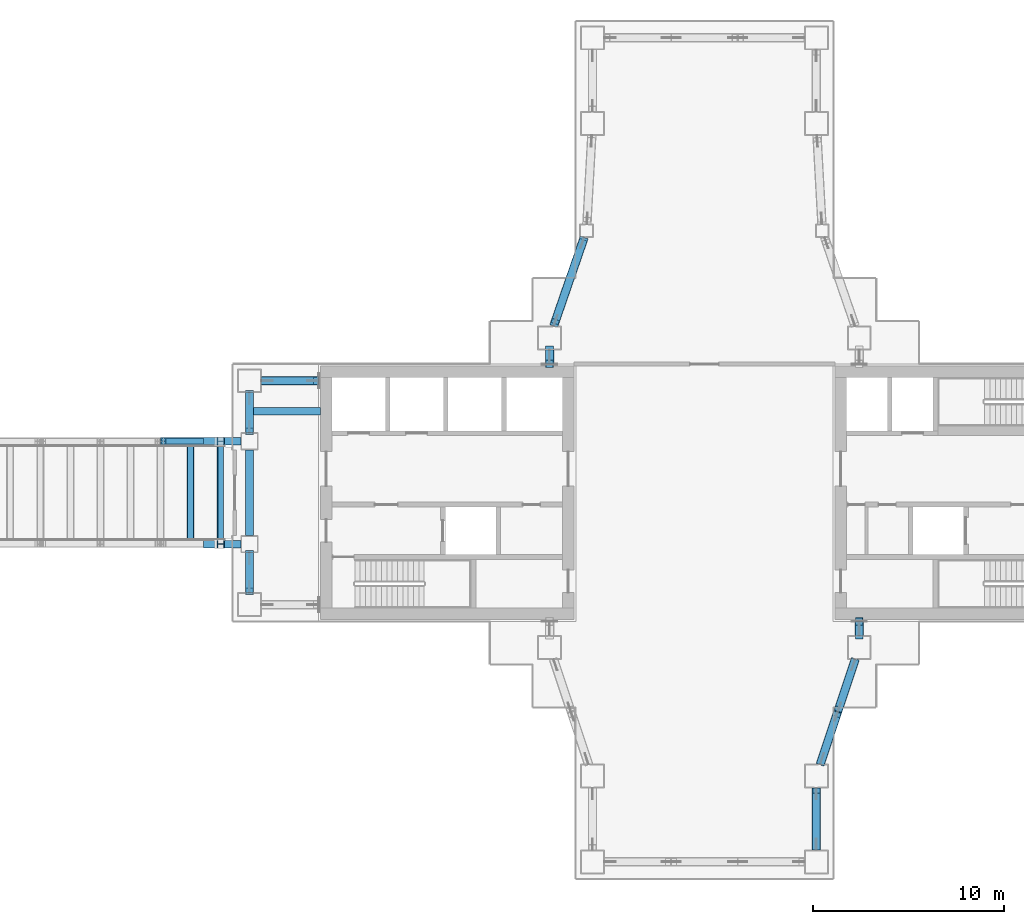
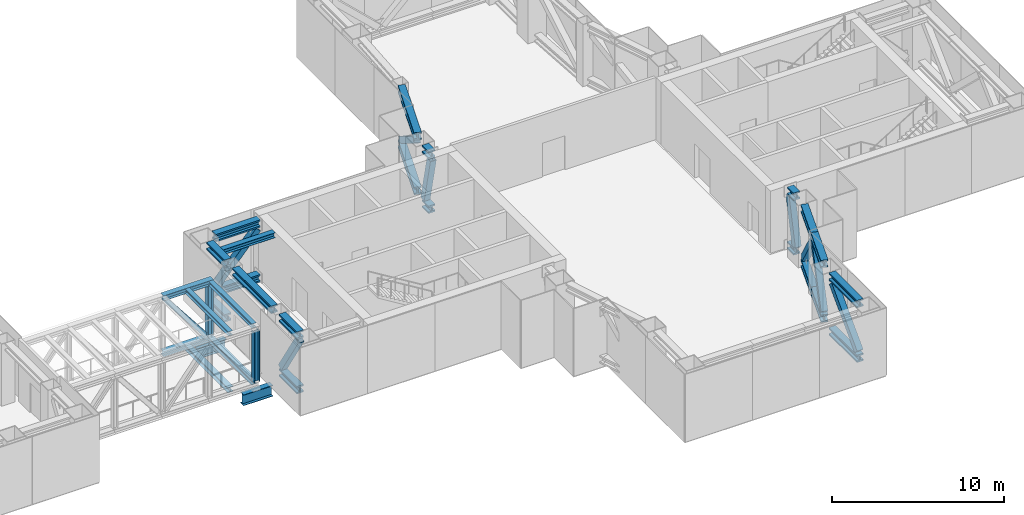
# One storey, part 6 of 21: 35 members, 5 beams.
"""IFC4 building model written with IfcOpenShell, lengths in metres."""

from ifc_helpers import new_model, si_unit, direction, frame, origin, origin_2d, place, context, subcontext, project, spatial, hollow_rectangle, i_section, extrude, material, material_profile, profile_set, type_object, element, save


model = new_model("IFC4")

# Units and contexts
model_context = context("Model", 3, precision=1e-05, world=origin(), true_north=direction((0.0, 1.0)))
body_context = subcontext(model_context, "Body", "Model", "MODEL_VIEW")
ifc_project = project(units=[si_unit("LENGTHUNIT", "METRE"), si_unit("AREAUNIT", "SQUARE_METRE"), si_unit("VOLUMEUNIT", "CUBIC_METRE"), si_unit("PLANEANGLEUNIT", "RADIAN"), si_unit("MASSUNIT", "GRAM", prefix="KILO")], contexts=[model_context])

# Site, building, storey
site_placement = place(None, origin())
site = spatial("IfcSite", under=ifc_project, at=site_placement, CompositionType="ELEMENT")
building_placement = place(site_placement, origin())
building = spatial("IfcBuilding", under=site, at=building_placement, Name="Shamsa Quay Exchange Towers", CompositionType="ELEMENT")
storey_placement = place(building_placement, frame((0.0, 0.0, 128.699951171875)))
storey = spatial("IfcBuildingStorey", under=building, at=storey_placement, Name="L30", CompositionType="ELEMENT", Elevation=128.699951171875)

# Members
ifc_material = material(Name="Steel S355", Category="steel")
ifc_material_profile_1 = material_profile(ifc_material, i_section(OverallWidth=0.380615234375, OverallDepth=0.773193359375, WebThickness=0.0166015625, FlangeThickness=0.027099609375, at=origin_2d()), Name="W30x173")
ifc_profile_set_1 = profile_set([ifc_material_profile_1], Name="Steel S355")
member_type_1 = type_object("IfcMemberType", Name="Bearing seat W30x173", PredefinedType="USERDEFINED", material=ifc_profile_set_1)
for number, where, z_axis, x_axis, name in (
    (1, (7.449951171875, -2.699951171875, -1.104248046875), (1.0, 0.0, 0.0), (0.0, 1.0, 0.0), "Bearing seat BR2 T2 S"),
    (2, (7.449951171875, 2.699951171875, -1.104248046875), (1.0, 0.0, 0.0), (0.0, 1.0, 0.0), "Bearing seat BR2 T2 N"),
):
    element("IfcMember", number, at=place(storey_placement, frame(where, z_axis=z_axis, x_axis=x_axis)), inside=storey, type_object=member_type_1, Name=name, ObjectType="BEARING SEAT", PredefinedType="USERDEFINED", context=body_context, shape_type="SweptSolid", body=[
        extrude(i_section(OverallWidth=0.380615234375, OverallDepth=0.773193359375, WebThickness=0.0166015625, FlangeThickness=0.027099609375, at=origin_2d()), origin(), (0.0, 0.0, 1.0), 1.97509765625),
    ])
ifc_material_profile_2 = material_profile(ifc_material, i_section(OverallWidth=0.4423828125, OverallDepth=0.531494140625, WebThickness=0.06591796875, FlangeThickness=0.105712890625, at=origin_2d()), Name="W14x605")
ifc_profile_set_2 = profile_set([ifc_material_profile_2], Name="Steel S355")
member_type_2 = type_object("IfcMemberType", Name="Belt chord W14x605", PredefinedType="CHORD", material=ifc_profile_set_2)
for number, where, z_axis, x_axis, name in (
    (3, (39.625, -18.75, 4.13427734375), (0.0, 1.0, 0.0), (-1.0, 0.0, 0.0), "Belt truss chord T2 L30 6"),
    (4, (39.625, -18.75, 0.265869140625), (0.0, 1.0, 0.0), (-1.0, 0.0, 0.0), "Belt truss chord T2 L30 6"),
):
    element("IfcMember", number, at=place(storey_placement, frame(where, z_axis=z_axis, x_axis=x_axis)), inside=storey, type_object=member_type_2, Name=name, PredefinedType="CHORD", context=body_context, shape_type="SweptSolid", body=[
        extrude(i_section(OverallWidth=0.4423828125, OverallDepth=0.531494140625, WebThickness=0.06591796875, FlangeThickness=0.105712890625, at=origin_2d()), origin(), (0.0, 0.0, 1.0), 3.25),
    ])
for number, where, z_axis, x_axis, name in (
    (5, (39.833251953125, -14.25, 4.13427734375), (0.316253032459, 0.948674875529, 0.0), (-0.948674875529, 0.316253032459, 0.0), "Belt truss chord T2 L30 7"),
    (6, (39.833251953125, -14.25, 0.265869140625), (0.316253032459, 0.948674875529, 0.0), (-0.948674875529, 0.316253032459, 0.0), "Belt truss chord T2 L30 7"),
    (7, (40.75, -11.5, 4.13427734375), (0.316253032459, 0.948674875529, 0.0), (-0.948674875529, 0.316253032459, 0.0), "Belt truss chord T2 L30 7"),
    (8, (40.75, -11.5, 0.265869140625), (0.316253032459, 0.948674875529, 0.0), (-0.948674875529, 0.316253032459, 0.0), "Belt truss chord T2 L30 7"),
):
    element("IfcMember", number, at=place(storey_placement, frame(where, z_axis=z_axis, x_axis=x_axis)), inside=storey, type_object=member_type_2, Name=name, PredefinedType="CHORD", context=body_context, shape_type="SweptSolid", body=[
        extrude(i_section(OverallWidth=0.4423828125, OverallDepth=0.531494140625, WebThickness=0.06591796875, FlangeThickness=0.105712890625, at=origin_2d()), origin(), (0.0, 0.0, 1.0), 2.898681640625),
    ])
for number, where, z_axis, x_axis, name in (
    (9, (27.44189453125, 13.39990234375, 4.13427734375), (-0.325654086192, -0.945488982562, 0.0), (0.945488982562, -0.325654086192, 0.0), "Belt truss chord T2 L30 19"),
    (10, (27.44189453125, 13.39990234375, 0.265869140625), (-0.325654086192, -0.945488982562, 0.0), (0.945488982562, -0.325654086192, 0.0), "Belt truss chord T2 L30 19"),
):
    element("IfcMember", number, at=place(storey_placement, frame(where, z_axis=z_axis, x_axis=x_axis)), inside=storey, type_object=member_type_2, Name=name, PredefinedType="CHORD", context=body_context, shape_type="SweptSolid", body=[
        extrude(i_section(OverallWidth=0.4423828125, OverallDepth=0.531494140625, WebThickness=0.06591796875, FlangeThickness=0.105712890625, at=origin_2d()), origin(), (0.0, 0.0, 1.0), 4.91796875),
    ])
for number, where, z_axis, x_axis, name in (
    (11, (9.875, 5.25, 4.13427734375), (0.0, -1.0, 0.0), (1.0, 0.0, 0.0), "Belt truss chord T2 L30 22"),
    (12, (9.875, 5.25, 0.265869140625), (0.0, -1.0, 0.0), (1.0, 0.0, 0.0), "Belt truss chord T2 L30 22"),
    (13, (9.875, -3.14990234375, 4.13427734375), (0.0, -1.0, 0.0), (1.0, 0.0, 0.0), "Belt truss chord T2 L30 23"),
    (14, (9.875, -3.14990234375, 0.265869140625), (0.0, -1.0, 0.0), (1.0, 0.0, 0.0), "Belt truss chord T2 L30 23"),
):
    element("IfcMember", number, at=place(storey_placement, frame(where, z_axis=z_axis, x_axis=x_axis)), inside=storey, type_object=member_type_2, Name=name, PredefinedType="CHORD", context=body_context, shape_type="SweptSolid", body=[
        extrude(i_section(OverallWidth=0.4423828125, OverallDepth=0.531494140625, WebThickness=0.06591796875, FlangeThickness=0.105712890625, at=origin_2d()), origin(), (0.0, 0.0, 1.0), 2.10009765625),
    ])
member_1_placement = place(storey_placement, frame((9.875, -2.25, 4.13427734375), z_axis=(0.0, 1.0, 0.0), x_axis=(-1.0, 0.0, 0.0)))
element("IfcMember", 15, at=member_1_placement, inside=storey, type_object=member_type_2, Name="Belt truss chord T2 L30 24", PredefinedType="CHORD", context=body_context, shape_type="SweptSolid", body=[
    extrude(i_section(OverallWidth=0.4423828125, OverallDepth=0.531494140625, WebThickness=0.06591796875, FlangeThickness=0.105712890625, at=origin_2d()), origin(), (0.0, 0.0, 1.0), 4.5),
])
ifc_material_profile_3 = material_profile(ifc_material, hollow_rectangle(XDim=0.406494140625, YDim=0.406494140625, WallThickness=0.01904296875, at=origin_2d()), Name="HSS16x16x3/4")
ifc_profile_set_3 = profile_set([ifc_material_profile_3], Name="Steel S355")
member_type_3 = type_object("IfcMemberType", Name="Belt diagonal HSS16x16x3/4", PredefinedType="BRACE", material=ifc_profile_set_3)
member_2_placement = place(storey_placement, frame((39.625, -18.61181640625, 0.67333984375), z_axis=(0.0, 0.69767935738, 0.716410157861), x_axis=(-1.0, 0.0, 0.0)))
element("IfcMember", 16, at=member_2_placement, inside=storey, type_object=member_type_3, Name="Belt truss diagonal T2 L30 6", PredefinedType="BRACE", context=body_context, shape_type="SweptSolid", body=[
    extrude(hollow_rectangle(XDim=0.406494140625, YDim=0.406494140625, WallThickness=0.01904296875, at=origin_2d()), origin(), (0.0, 0.0, 1.0), 4.26220703125),
])
for number, where, z_axis, x_axis, name in (
    (17, (39.869873046875, -14.14013671875, 0.664794921875), (0.207392349561, 0.622117021954, 0.754956173786), (-0.948674144101, 0.316255226541, 0.0), "Belt truss diagonal T2 L30 7"),
    (18, (41.630126953125, -8.85986328125, 0.664794921875), (-0.207392349561, -0.622117021954, 0.754956173786), (0.948674144101, -0.316255226541, 0.0), "Belt truss diagonal T2 L30 7"),
):
    element("IfcMember", number, at=place(storey_placement, frame(where, z_axis=z_axis, x_axis=x_axis)), inside=storey, type_object=member_type_3, Name=name, PredefinedType="BRACE", context=body_context, shape_type="SweptSolid", body=[
        extrude(hollow_rectangle(XDim=0.406494140625, YDim=0.406494140625, WallThickness=0.01904296875, at=origin_2d()), origin(), (0.0, 0.0, 1.0), 4.067138671875),
    ])
member_3_placement = place(storey_placement, frame((27.361328125, 13.165771484375, 0.69970703125), z_axis=(-0.269518016757, -0.782378825932, 0.561465414231), x_axis=(0.945472667652, -0.325701450292, 0.0)))
element("IfcMember", 19, at=member_3_placement, inside=storey, type_object=member_type_3, Name="Belt truss diagonal T2 L30 19", PredefinedType="BRACE", context=body_context, shape_type="SweptSolid", body=[
    extrude(hollow_rectangle(XDim=0.406494140625, YDim=0.406494140625, WallThickness=0.01904296875, at=origin_2d()), origin(), (0.0, 0.0, 1.0), 5.344482421875),
])
for number, where, z_axis, x_axis, name in (
    (20, (9.875, 5.181884765625, 0.6396484375), (0.0, -0.53259725521, 0.84636881071), (1.0, 0.0, 0.0), "Belt truss diagonal T2 L30 22"),
    (21, (9.875, -3.218017578125, 0.6396484375), (0.0, -0.53259725521, 0.84636881071), (1.0, 0.0, 0.0), "Belt truss diagonal T2 L30 23"),
):
    element("IfcMember", number, at=place(storey_placement, frame(where, z_axis=z_axis, x_axis=x_axis)), inside=storey, type_object=member_type_3, Name=name, PredefinedType="BRACE", context=body_context, shape_type="SweptSolid", body=[
        extrude(hollow_rectangle(XDim=0.406494140625, YDim=0.406494140625, WallThickness=0.01904296875, at=origin_2d()), origin(), (0.0, 0.0, 1.0), 3.687255859375),
    ])

# Beam
ifc_material_profile_4 = material_profile(ifc_material, i_section(OverallWidth=0.368896484375, OverallDepth=0.356201171875, WebThickness=0.01123046875, FlangeThickness=0.01806640625, at=origin_2d()), Name="W14x90")
ifc_profile_set_4 = profile_set([ifc_material_profile_4], Name="Steel S355")
beam_type_1 = type_object("IfcBeamType", Name="End-zone beam W14x90", PredefinedType="BEAM", material=ifc_profile_set_4)
beam_placement = place(storey_placement, frame((13.60009765625, 4.27490234375, 4.221923828125), z_axis=(-1.0, 0.0, 0.0), x_axis=(0.0, -1.0, 0.0)))
element("IfcBeam", 22, at=beam_placement, inside=storey, type_object=beam_type_1, Name="Spine beam T2 V+ end zone L30", PredefinedType="BEAM", context=body_context, shape_type="SweptSolid", body=[
    extrude(i_section(OverallWidth=0.368896484375, OverallDepth=0.356201171875, WebThickness=0.01123046875, FlangeThickness=0.01806640625, at=origin_2d()), origin(), (0.0, 0.0, 1.0), 3.50390625),
])

# Members
ifc_material_profile_5 = material_profile(ifc_material, i_section(OverallWidth=0.4423828125, OverallDepth=0.531494140625, WebThickness=0.06591796875, FlangeThickness=0.105712890625, at=origin_2d()), Name="W14x605")
ifc_profile_set_5 = profile_set([ifc_material_profile_5], Name="Steel S355")
member_type_4 = type_object("IfcMemberType", Name="Outrigger chord W14x605", PredefinedType="CHORD", material=ifc_profile_set_5)
for number, where, z_axis, x_axis, name in (
    (23, (41.875, -7.5, 4.13427734375), (0.0, 1.0, 0.0), (-1.0, 0.0, 0.0), "Outrigger truss chord T2 L30 8"),
    (24, (41.875, -7.5, 0.265869140625), (0.0, 1.0, 0.0), (-1.0, 0.0, 0.0), "Outrigger truss chord T2 L30 8"),
    (25, (25.625, 7.5, 4.13427734375), (0.0, -1.0, 0.0), (1.0, 0.0, 0.0), "Outrigger truss chord T2 L30 20"),
    (26, (25.625, 7.5, 0.265869140625), (0.0, -1.0, 0.0), (1.0, 0.0, 0.0), "Outrigger truss chord T2 L30 20"),
):
    element("IfcMember", number, at=place(storey_placement, frame(where, z_axis=z_axis, x_axis=x_axis)), inside=storey, type_object=member_type_4, Name=name, PredefinedType="CHORD", context=body_context, shape_type="SweptSolid", body=[
        extrude(i_section(OverallWidth=0.4423828125, OverallDepth=0.531494140625, WebThickness=0.06591796875, FlangeThickness=0.105712890625, at=origin_2d()), origin(), (0.0, 0.0, 1.0), 0.75),
    ])
for number, where, z_axis, x_axis, name in (
    (27, (10.5, 5.875, 4.13427734375), (1.0, 0.0, 0.0), (0.0, 1.0, 0.0), "Outrigger truss chord T2 L30 21"),
    (28, (10.5, 5.875, 0.265869140625), (1.0, 0.0, 0.0), (0.0, 1.0, 0.0), "Outrigger truss chord T2 L30 21"),
):
    element("IfcMember", number, at=place(storey_placement, frame(where, z_axis=z_axis, x_axis=x_axis)), inside=storey, type_object=member_type_4, Name=name, PredefinedType="CHORD", context=body_context, shape_type="SweptSolid", body=[
        extrude(i_section(OverallWidth=0.4423828125, OverallDepth=0.531494140625, WebThickness=0.06591796875, FlangeThickness=0.105712890625, at=origin_2d()), origin(), (0.0, 0.0, 1.0), 3.0),
    ])
ifc_material_profile_6 = material_profile(ifc_material, hollow_rectangle(XDim=0.406494140625, YDim=0.406494140625, WallThickness=0.01904296875, at=origin_2d()), Name="HSS16x16x3/4")
ifc_profile_set_6 = profile_set([ifc_material_profile_6], Name="Steel S355")
member_type_5 = type_object("IfcMemberType", Name="Outrigger diagonal HSS16x16x3/4", PredefinedType="BRACE", material=ifc_profile_set_6)
for number, where, z_axis, x_axis, name in (
    (29, (41.875, -7.489990234375, 0.575927734375), (0.0, 0.219274860702, 0.975663126014), (-1.0, 0.0, 0.0), "Outrigger truss diagonal T2 L30 8"),
    (30, (25.625, 7.489990234375, 0.575927734375), (0.0, -0.219274860702, 0.975663126014), (1.0, 0.0, 0.0), "Outrigger truss diagonal T2 L30 20"),
):
    element("IfcMember", number, at=place(storey_placement, frame(where, z_axis=z_axis, x_axis=x_axis)), inside=storey, type_object=member_type_5, Name=name, PredefinedType="BRACE", context=body_context, shape_type="SweptSolid", body=[
        extrude(hollow_rectangle(XDim=0.406494140625, YDim=0.406494140625, WallThickness=0.01904296875, at=origin_2d()), origin(), (0.0, 0.0, 1.0), 3.3291015625),
    ])
member_4_placement = place(storey_placement, frame((10.6220703125, 5.875, 0.667236328125), z_axis=(0.668529429281, 0.0, 0.743685687764), x_axis=(0.0, 1.0, 0.0)))
element("IfcMember", 31, at=member_4_placement, inside=storey, type_object=member_type_5, Name="Outrigger truss diagonal T2 L30 21", PredefinedType="BRACE", context=body_context, shape_type="SweptSolid", body=[
    extrude(hollow_rectangle(XDim=0.406494140625, YDim=0.406494140625, WallThickness=0.01904296875, at=origin_2d()), origin(), (0.0, 0.0, 1.0), 4.122314453125),
])
ifc_material_profile_7 = material_profile(ifc_material, i_section(OverallWidth=0.37255859375, OverallDepth=0.367919921875, WebThickness=0.014892578125, FlangeThickness=0.02392578125, at=origin_2d()), Name="W14x120")
ifc_profile_set_7 = profile_set([ifc_material_profile_7], Name="Steel S355")
member_type_6 = type_object("IfcMemberType", Name="Skybridge chord W14x120", PredefinedType="CHORD", material=ifc_profile_set_7)
for number, where, z_axis, x_axis, name in (
    (32, (5.206787109375, 2.699951171875, 3.6240234375), (1.0, 0.0, 0.0), (0.0, 1.0, 0.0), "Skybridge BR2 truss N top chord"),
    (33, (5.206787109375, 2.699951171875, -0.333740234375), (1.0, 0.0, 0.0), (0.0, 1.0, 0.0), "Skybridge BR2 truss N bottom chord"),
):
    element("IfcMember", number, at=place(storey_placement, frame(where, z_axis=z_axis, x_axis=x_axis)), inside=storey, type_object=member_type_6, Name=name, PredefinedType="CHORD", context=body_context, shape_type="SweptSolid", body=[
        extrude(i_section(OverallWidth=0.37255859375, OverallDepth=0.367919921875, WebThickness=0.014892578125, FlangeThickness=0.02392578125, at=origin_2d()), origin(), (0.0, 0.0, 1.0), 3.34326171875),
    ])
ifc_material_profile_8 = material_profile(ifc_material, i_section(OverallWidth=0.3046875, OverallDepth=0.307861328125, WebThickness=0.010009765625, FlangeThickness=0.015380859375, at=origin_2d()), Name="W12x65")
ifc_profile_set_8 = profile_set([ifc_material_profile_8], Name="Steel S355")
member_type_7 = type_object("IfcMemberType", Name="Skybridge diagonal W12x65", PredefinedType="BRACE", material=ifc_profile_set_8)
member_5_placement = place(storey_placement, frame((5.368408203125, 2.699951171875, 3.43994140625), z_axis=(0.616259158736, 0.0, -0.787543426913), x_axis=(0.0, 1.0, 0.0)))
element("IfcMember", 34, at=member_5_placement, inside=storey, type_object=member_type_7, Name="Skybridge BR2 truss N diagonal", PredefinedType="BRACE", context=body_context, shape_type="SweptSolid", body=[
    extrude(i_section(OverallWidth=0.3046875, OverallDepth=0.307861328125, WebThickness=0.010009765625, FlangeThickness=0.015380859375, at=origin_2d()), origin(), (0.0, 0.0, 1.0), 4.558349609375),
])
ifc_material_profile_9 = material_profile(ifc_material, i_section(OverallWidth=0.3740234375, OverallDepth=0.372314453125, WebThickness=0.016357421875, FlangeThickness=0.026123046875, at=origin_2d()), Name="W14x132")
ifc_profile_set_9 = profile_set([ifc_material_profile_9], Name="Steel S355")
member_type_8 = type_object("IfcMemberType", Name="Skybridge end post W14x132", PredefinedType="POST", material=ifc_profile_set_9)
for number, where, z_axis, x_axis, name in (
    (35, (8.36376953125, -2.699951171875, -0.14990234375), (0.0, 0.0, 1.0), (0.0, 1.0, 0.0), "Skybridge BR2 truss S post"),
    (36, (8.36376953125, 2.699951171875, -0.14990234375), (0.0, 0.0, 1.0), (0.0, 1.0, 0.0), "Skybridge BR2 truss N post"),
):
    element("IfcMember", number, at=place(storey_placement, frame(where, z_axis=z_axis, x_axis=x_axis)), inside=storey, type_object=member_type_8, Name=name, PredefinedType="POST", context=body_context, shape_type="SweptSolid", body=[
        extrude(i_section(OverallWidth=0.3740234375, OverallDepth=0.372314453125, WebThickness=0.016357421875, FlangeThickness=0.026123046875, at=origin_2d()), origin(), (0.0, 0.0, 1.0), 3.58984375),
    ])

# Beams
ifc_material_profile_10 = material_profile(ifc_material, i_section(OverallWidth=0.368896484375, OverallDepth=0.356201171875, WebThickness=0.01123046875, FlangeThickness=0.01806640625, at=origin_2d()), Name="W14x90")
ifc_profile_set_10 = profile_set([ifc_material_profile_10], Name="Steel S355")
beam_type_2 = type_object("IfcBeamType", Name="Skybridge floor beam W14x90", PredefinedType="BEAM", material=ifc_profile_set_10)
for number, where, z_axis, x_axis, name in (
    (37, (6.785400390625, -2.513671875, -0.327880859375), (0.0, 1.0, 0.0), (-1.0, 0.0, 0.0), "Skybridge BR2 floor beam"),
    (38, (8.36376953125, -2.513671875, -0.327880859375), (0.0, 1.0, 0.0), (-1.0, 0.0, 0.0), "Skybridge BR2 floor beam"),
):
    element("IfcBeam", number, at=place(storey_placement, frame(where, z_axis=z_axis, x_axis=x_axis)), inside=storey, type_object=beam_type_2, Name=name, PredefinedType="BEAM", context=body_context, shape_type="SweptSolid", body=[
        extrude(i_section(OverallWidth=0.368896484375, OverallDepth=0.356201171875, WebThickness=0.01123046875, FlangeThickness=0.01806640625, at=origin_2d()), origin(), (0.0, 0.0, 1.0), 5.02734375),
    ])
ifc_material_profile_11 = material_profile(ifc_material, i_section(OverallWidth=0.3046875, OverallDepth=0.307861328125, WebThickness=0.010009765625, FlangeThickness=0.015380859375, at=origin_2d()), Name="W12x65")
ifc_profile_set_11 = profile_set([ifc_material_profile_11], Name="Steel S355")
beam_type_3 = type_object("IfcBeamType", Name="Skybridge roof beam W12x65", PredefinedType="BEAM", material=ifc_profile_set_11)
for number, where, z_axis, x_axis, name in (
    (39, (6.785400390625, -2.513671875, 3.654052734375), (0.0, 1.0, 0.0), (-1.0, 0.0, 0.0), "Skybridge BR2 roof beam"),
    (40, (8.36376953125, -2.513671875, 3.654052734375), (0.0, 1.0, 0.0), (-1.0, 0.0, 0.0), "Skybridge BR2 roof beam"),
):
    element("IfcBeam", number, at=place(storey_placement, frame(where, z_axis=z_axis, x_axis=x_axis)), inside=storey, type_object=beam_type_3, Name=name, PredefinedType="BEAM", context=body_context, shape_type="SweptSolid", body=[
        extrude(i_section(OverallWidth=0.3046875, OverallDepth=0.307861328125, WebThickness=0.010009765625, FlangeThickness=0.015380859375, at=origin_2d()), origin(), (0.0, 0.0, 1.0), 5.02734375),
    ])

save(model, "model.ifc")
